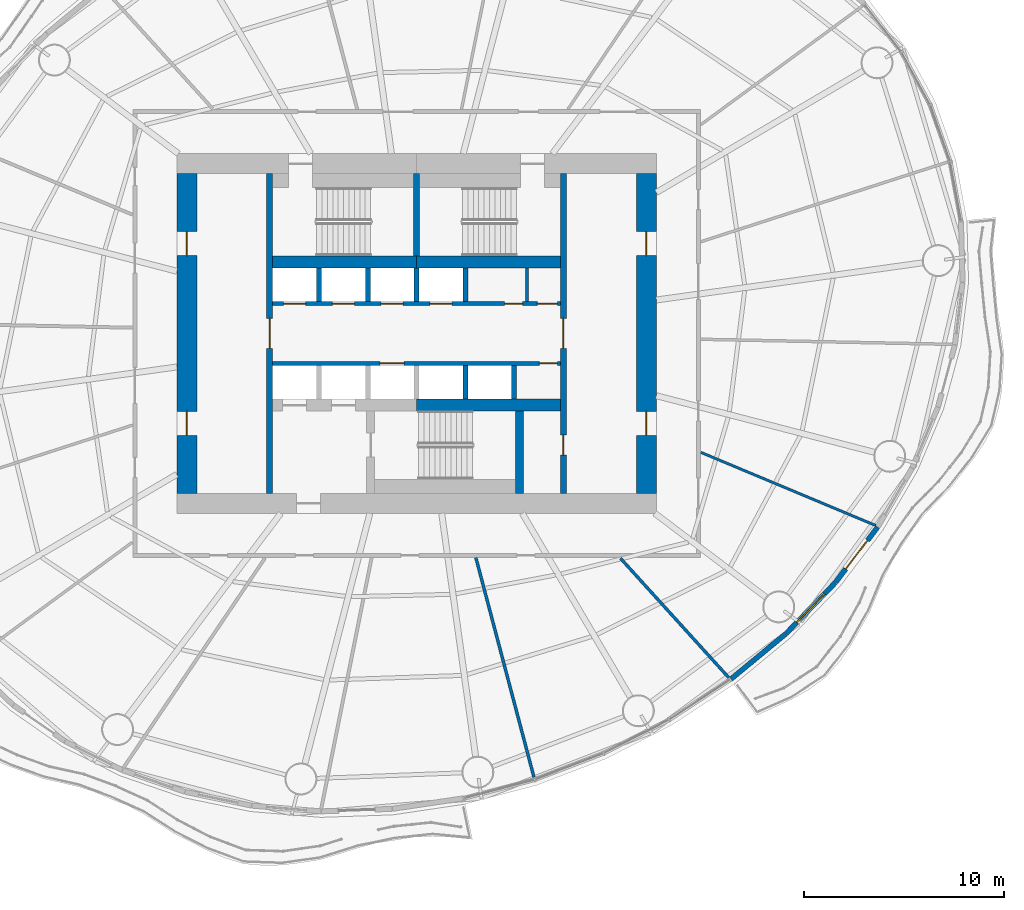
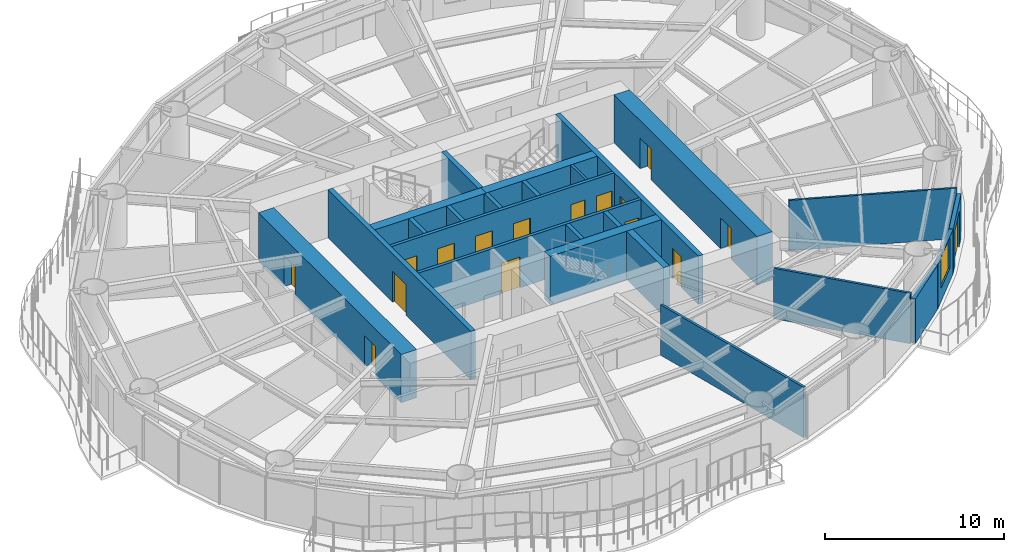
# One storey, part 8 of 15: 24 walls, 16 doors, 1 window, 17 openings.
"""IFC4 building model written with IfcOpenShell, lengths in metres."""

from ifc_helpers import new_model, si_unit, direction, frame, frame_2d, origin, place, context, subcontext, project, spatial, rectangle, extrude, material, layer, layer_set, type_object, element, fill, save


model = new_model("IFC4")

# Units and contexts
model_context = context("Model", 3, precision=1e-05, world=origin(), true_north=direction((0.0, 1.0)))
body_context = subcontext(model_context, "Body", "Model", "MODEL_VIEW")
ifc_project = project(units=[si_unit("LENGTHUNIT", "METRE"), si_unit("AREAUNIT", "SQUARE_METRE"), si_unit("VOLUMEUNIT", "CUBIC_METRE"), si_unit("PLANEANGLEUNIT", "RADIAN"), si_unit("MASSUNIT", "GRAM", prefix="KILO")], contexts=[model_context])

# Site, building, storey
site_placement = place(None, origin())
site = spatial("IfcSite", under=ifc_project, at=site_placement, CompositionType="ELEMENT")
building_placement = place(site_placement, origin())
building = spatial("IfcBuilding", under=site, at=building_placement, Name="Vermilion Reach Broadcast Tower", CompositionType="ELEMENT")
storey_placement = place(building_placement, frame((0.0, 0.0, 128.199951171875)))
storey = spatial("IfcBuildingStorey", under=building, at=storey_placement, Name="L30", CompositionType="ELEMENT", Elevation=128.199951171875)

# Wall, opening, door
ifc_material_1 = material(Name="Concrete C70", Category="concrete")
ifc_layer_1 = layer(ifc_material_1, 0.300048828125)
ifc_layer_set_1 = layer_set([ifc_layer_1], Name="Core inner wall 300 mm Concrete C70")
wall_type_1 = type_object("IfcWallType", Name="Core inner wall 300 mm Concrete C70", PredefinedType="SHEAR", material=ifc_layer_set_1)
wall_1_placement = place(storey_placement, frame((-13.35009765625, 8.0, 0.0), z_axis=(0.0, 0.0, 1.0), x_axis=(0.0, -1.0, 0.0)))
wall_1 = element("IfcWall", 1, at=wall_1_placement, inside=storey, type_object=wall_type_1, Name="L30 core wall ewW", PredefinedType="SHEAR", context=body_context, shape_type="SweptSolid", body=[
    extrude(rectangle(XDim=16.0, YDim=0.300048828125, at=frame_2d((8.0, 0.0))), origin(), (0.0, 0.0, 1.0), 3.300048828125),
])
opening_1_placement = place(wall_1_placement, frame((7.25, 0.0, 0.0)))
opening_1 = element("IfcOpeningElement", 2, at=opening_1_placement, cuts=wall_1, Name="Opening D04", PredefinedType="OPENING", context=body_context, shape_type="SweptSolid", body=[
    extrude(rectangle(XDim=1.5, YDim=2.10009765625, at=frame_2d((0.75, 1.050048828125))), frame((0.0, 0.159912109375, 0.0), z_axis=(0.0, -1.0, 0.0), x_axis=(1.0, 0.0, 0.0)), (0.0, 0.0, 1.0), 0.320068359375),
])
ifc_material_2 = material(Name="Painted steel fire door", Category="steel")
door_type_1 = type_object("IfcDoorType", Name="Lift lobby door 1500 x 2100", OperationType="DOUBLE_DOOR_SINGLE_SWING", PredefinedType="NOTDEFINED", material=ifc_material_2)
door_1_placement = place(opening_1_placement, origin())
door_1 = element("IfcDoor", 3, at=door_1_placement, inside=storey, type_object=door_type_1, Name="L30 band door BW", OperationType="DOUBLE_DOOR_SINGLE_SWING", OverallHeight=2.10009765625, OverallWidth=1.5, PredefinedType="NOTDEFINED", context=body_context, shape_type="SweptSolid", body=[
    extrude(rectangle(XDim=1.5, YDim=2.10009765625, at=frame_2d((0.75, 1.050048828125))), frame((0.0, 0.02490234375, 0.0), z_axis=(0.0, -1.0, 0.0), x_axis=(1.0, 0.0, 0.0)), (0.0, 0.0, 1.0), 0.050048828125),
])
fill(opening_1, door_1)

# Wall, openings, doors
wall_2_placement = place(storey_placement, frame((1.35009765625, -8.0, 0.0), z_axis=(0.0, 0.0, 1.0), x_axis=(0.0, 1.0, 0.0)))
wall_2 = element("IfcWall", 4, at=wall_2_placement, inside=storey, type_object=wall_type_1, Name="L30 core wall ewE", PredefinedType="SHEAR", context=body_context, shape_type="SweptSolid", body=[
    extrude(rectangle(XDim=16.0, YDim=0.300048828125, at=frame_2d((8.0, 0.0))), origin(), (0.0, 0.0, 1.0), 3.300048828125),
])
opening_2_placement = place(wall_2_placement, frame((1.909912109375, 0.0, 0.0)))
opening_2 = element("IfcOpeningElement", 5, at=opening_2_placement, cuts=wall_2, Name="Opening D05", PredefinedType="OPENING", context=body_context, shape_type="SweptSolid", body=[
    extrude(rectangle(XDim=1.0, YDim=2.10009765625, at=frame_2d((0.5, 1.050048828125))), frame((0.0, 0.159912109375, 0.0), z_axis=(0.0, -1.0, 0.0), x_axis=(1.0, 0.0, 0.0)), (0.0, 0.0, 1.0), 0.320068359375),
])
opening_3_placement = place(wall_2_placement, frame((7.25, 0.0, 0.0)))
opening_3 = element("IfcOpeningElement", 6, at=opening_3_placement, cuts=wall_2, Name="Opening D04", PredefinedType="OPENING", context=body_context, shape_type="SweptSolid", body=[
    extrude(rectangle(XDim=1.5, YDim=2.10009765625, at=frame_2d((0.75, 1.050048828125))), frame((0.0, 0.159912109375, 0.0), z_axis=(0.0, -1.0, 0.0), x_axis=(1.0, 0.0, 0.0)), (0.0, 0.0, 1.0), 0.320068359375),
])
door_2_placement = place(opening_3_placement, origin())
door_2 = element("IfcDoor", 7, at=door_2_placement, inside=storey, type_object=door_type_1, Name="L30 band door BE", OperationType="DOUBLE_DOOR_SINGLE_SWING", OverallHeight=2.10009765625, OverallWidth=1.5, PredefinedType="NOTDEFINED", context=body_context, shape_type="SweptSolid", body=[
    extrude(rectangle(XDim=1.5, YDim=2.10009765625, at=frame_2d((0.75, 1.050048828125))), frame((0.0, 0.02490234375, 0.0), z_axis=(0.0, -1.0, 0.0), x_axis=(1.0, 0.0, 0.0)), (0.0, 0.0, 1.0), 0.050048828125),
])
fill(opening_3, door_2)
ifc_material_3 = material(Name="Timber door", Category="wood")
door_type_2 = type_object("IfcDoorType", Name="Room door 1000 x 2100", OperationType="NOTDEFINED", PredefinedType="NOTDEFINED", material=ifc_material_3)
door_3_placement = place(opening_2_placement, origin())
door_3 = element("IfcDoor", 8, at=door_3_placement, inside=storey, type_object=door_type_2, Name="L30 door SER", OperationType="SINGLE_SWING_LEFT", OverallHeight=2.10009765625, OverallWidth=1.0, PredefinedType="NOTDEFINED", context=body_context, shape_type="SweptSolid", body=[
    extrude(rectangle(XDim=1.0, YDim=2.10009765625, at=frame_2d((0.5, 1.050048828125))), frame((0.0, 0.02490234375, 0.0), z_axis=(0.0, -1.0, 0.0), x_axis=(1.0, 0.0, 0.0)), (0.0, 0.0, 1.0), 0.050048828125),
])
fill(opening_2, door_3)

# Walls
wall_3_placement = place(storey_placement, frame((-6.0, 3.8798828125, 0.0), z_axis=(0.0, 0.0, 1.0), x_axis=(0.0, 1.0, 0.0)))
element("IfcWall", 9, at=wall_3_placement, inside=storey, type_object=wall_type_1, Name="L30 core wall wc", PredefinedType="SHEAR", context=body_context, shape_type="SweptSolid", body=[
    extrude(rectangle(XDim=4.1201171875, YDim=0.300048828125, at=frame_2d((2.06005859375, 0.0))), origin(), (0.0, 0.0, 1.0), 3.300048828125),
])
ifc_material_4 = material(Name="Concrete C70", Category="concrete")
ifc_layer_2 = layer(ifc_material_4, 0.39990234375)
ifc_layer_set_2 = layer_set([ifc_layer_2], Name="Core inner wall 400 mm Concrete C70")
wall_type_2 = type_object("IfcWallType", Name="Core inner wall 400 mm Concrete C70", PredefinedType="SHEAR", material=ifc_layer_set_2)
wall_4_placement = place(storey_placement, frame((-0.85009765625, -3.8798828125, 0.0), z_axis=(0.0, 0.0, 1.0), x_axis=(0.0, -1.0, 0.0)))
element("IfcWall", 10, at=wall_4_placement, inside=storey, type_object=wall_type_2, Name="L30 core wall wb", PredefinedType="SHEAR", context=body_context, shape_type="SweptSolid", body=[
    extrude(rectangle(XDim=4.1201171875, YDim=0.39990234375, at=frame_2d((2.06005859375, 0.0))), origin(), (0.0, 0.0, 1.0), 3.300048828125),
])
ifc_material_5 = material(Name="Concrete C70", Category="concrete")
ifc_layer_3 = layer(ifc_material_5, 0.60009765625)
ifc_layer_set_3 = layer_set([ifc_layer_3], Name="Core inner wall 600 mm Concrete C70")
wall_type_3 = type_object("IfcWallType", Name="Core inner wall 600 mm Concrete C70", PredefinedType="SHEAR", material=ifc_layer_set_3)
for number, where, z_axis, x_axis, name in (
    (11, (-13.199951171875, 3.580078125, 0.0), (0.0, 0.0, 1.0), (1.0, 0.0, 0.0), "L30 core wall winW"),
    (12, (-6.0, 3.580078125, 0.0), (0.0, 0.0, 1.0), (1.0, 0.0, 0.0), "L30 core wall winE"),
    (13, (-6.0, -3.580078125, 0.0), (0.0, 0.0, 1.0), (1.0, 0.0, 0.0), "L30 core wall wisE"),
):
    element("IfcWall", number, at=place(storey_placement, frame(where, z_axis=z_axis, x_axis=x_axis)), inside=storey, type_object=wall_type_3, Name=name, PredefinedType="SHEAR", context=body_context, shape_type="SweptSolid", body=[
        extrude(rectangle(XDim=7.199951171875, YDim=0.60009765625, at=frame_2d((3.60009765625, 0.0))), origin(), (0.0, 0.0, 1.0), 3.300048828125),
    ])

# Wall, openings, doors
ifc_material_6 = material(Name="Concrete C70", Category="concrete")
ifc_layer_4 = layer(ifc_material_6, 1.0)
ifc_layer_set_4 = layer_set([ifc_layer_4], Name="Core outer wall 1000 mm Concrete C70")
wall_type_4 = type_object("IfcWallType", Name="Core outer wall 1000 mm Concrete C70", PredefinedType="SHEAR", material=ifc_layer_set_4)
wall_5_placement = place(storey_placement, frame((-17.5, 8.0, 0.0), z_axis=(0.0, 0.0, 1.0), x_axis=(0.0, -1.0, 0.0)))
wall_5 = element("IfcWall", 14, at=wall_5_placement, inside=storey, type_object=wall_type_4, Name="L30 core wall ow", PredefinedType="SHEAR", context=body_context, shape_type="SweptSolid", body=[
    extrude(rectangle(XDim=16.0, YDim=1.0, at=frame_2d((8.0, 0.0))), origin(), (0.0, 0.0, 1.0), 3.300048828125),
])
opening_4_placement = place(wall_5_placement, frame((11.89990234375, 0.0, 0.0)))
opening_4 = element("IfcOpeningElement", 15, at=opening_4_placement, cuts=wall_5, Name="Opening D03", PredefinedType="OPENING", context=body_context, shape_type="SweptSolid", body=[
    extrude(rectangle(XDim=1.199951171875, YDim=2.10009765625, at=frame_2d((0.60009765625, 1.050048828125))), frame((0.0, 0.510009765625, 0.0), z_axis=(0.0, -1.0, 0.0), x_axis=(1.0, 0.0, 0.0)), (0.0, 0.0, 1.0), 1.02001953125),
])
opening_5_placement = place(wall_5_placement, frame((2.89990234375, 0.0, 0.0)))
opening_5 = element("IfcOpeningElement", 16, at=opening_5_placement, cuts=wall_5, Name="Opening D03", PredefinedType="OPENING", context=body_context, shape_type="SweptSolid", body=[
    extrude(rectangle(XDim=1.199951171875, YDim=2.10009765625, at=frame_2d((0.60009765625, 1.050048828125))), frame((0.0, 0.510009765625, 0.0), z_axis=(0.0, -1.0, 0.0), x_axis=(1.0, 0.0, 0.0)), (0.0, 0.0, 1.0), 1.02001953125),
])
ifc_material_7 = material(Name="Painted steel fire door", Category="steel")
door_type_3 = type_object("IfcDoorType", Name="Core lobby door 1200 x 2100", OperationType="DOUBLE_DOOR_SINGLE_SWING", PredefinedType="NOTDEFINED", material=ifc_material_7)
door_4_placement = place(opening_4_placement, origin())
door_4 = element("IfcDoor", 17, at=door_4_placement, inside=storey, type_object=door_type_3, Name="L30 slot door W0", OperationType="DOUBLE_DOOR_SINGLE_SWING", OverallHeight=2.10009765625, OverallWidth=1.199951171875, PredefinedType="NOTDEFINED", context=body_context, shape_type="SweptSolid", body=[
    extrude(rectangle(XDim=1.199951171875, YDim=2.10009765625, at=frame_2d((0.60009765625, 1.050048828125))), frame((0.0, 0.02490234375, 0.0), z_axis=(0.0, -1.0, 0.0), x_axis=(1.0, 0.0, 0.0)), (0.0, 0.0, 1.0), 0.050048828125),
])
fill(opening_4, door_4)
door_5_placement = place(opening_5_placement, origin())
door_5 = element("IfcDoor", 18, at=door_5_placement, inside=storey, type_object=door_type_3, Name="L30 slot door W1", OperationType="DOUBLE_DOOR_SINGLE_SWING", OverallHeight=2.10009765625, OverallWidth=1.199951171875, PredefinedType="NOTDEFINED", context=body_context, shape_type="SweptSolid", body=[
    extrude(rectangle(XDim=1.199951171875, YDim=2.10009765625, at=frame_2d((0.60009765625, 1.050048828125))), frame((0.0, 0.02490234375, 0.0), z_axis=(0.0, -1.0, 0.0), x_axis=(1.0, 0.0, 0.0)), (0.0, 0.0, 1.0), 0.050048828125),
])
fill(opening_5, door_5)

wall_6_placement = place(storey_placement, frame((5.5, -8.0, 0.0), z_axis=(0.0, 0.0, 1.0), x_axis=(0.0, 1.0, 0.0)))
wall_6 = element("IfcWall", 19, at=wall_6_placement, inside=storey, type_object=wall_type_4, Name="L30 core wall oe", PredefinedType="SHEAR", context=body_context, shape_type="SweptSolid", body=[
    extrude(rectangle(XDim=16.0, YDim=1.0, at=frame_2d((8.0, 0.0))), origin(), (0.0, 0.0, 1.0), 3.300048828125),
])
opening_6_placement = place(wall_6_placement, frame((2.89990234375, 0.0, 0.0)))
opening_6 = element("IfcOpeningElement", 20, at=opening_6_placement, cuts=wall_6, Name="Opening D03", PredefinedType="OPENING", context=body_context, shape_type="SweptSolid", body=[
    extrude(rectangle(XDim=1.199951171875, YDim=2.10009765625, at=frame_2d((0.60009765625, 1.050048828125))), frame((0.0, 0.510009765625, 0.0), z_axis=(0.0, -1.0, 0.0), x_axis=(1.0, 0.0, 0.0)), (0.0, 0.0, 1.0), 1.02001953125),
])
opening_7_placement = place(wall_6_placement, frame((11.89990234375, 0.0, 0.0)))
opening_7 = element("IfcOpeningElement", 21, at=opening_7_placement, cuts=wall_6, Name="Opening D03", PredefinedType="OPENING", context=body_context, shape_type="SweptSolid", body=[
    extrude(rectangle(XDim=1.199951171875, YDim=2.10009765625, at=frame_2d((0.60009765625, 1.050048828125))), frame((0.0, 0.510009765625, 0.0), z_axis=(0.0, -1.0, 0.0), x_axis=(1.0, 0.0, 0.0)), (0.0, 0.0, 1.0), 1.02001953125),
])
door_6_placement = place(opening_6_placement, origin())
door_6 = element("IfcDoor", 22, at=door_6_placement, inside=storey, type_object=door_type_3, Name="L30 slot door E0", OperationType="DOUBLE_DOOR_SINGLE_SWING", OverallHeight=2.10009765625, OverallWidth=1.199951171875, PredefinedType="NOTDEFINED", context=body_context, shape_type="SweptSolid", body=[
    extrude(rectangle(XDim=1.199951171875, YDim=2.10009765625, at=frame_2d((0.60009765625, 1.050048828125))), frame((0.0, 0.02490234375, 0.0), z_axis=(0.0, -1.0, 0.0), x_axis=(1.0, 0.0, 0.0)), (0.0, 0.0, 1.0), 0.050048828125),
])
fill(opening_6, door_6)
door_7_placement = place(opening_7_placement, origin())
door_7 = element("IfcDoor", 23, at=door_7_placement, inside=storey, type_object=door_type_3, Name="L30 slot door E1", OperationType="DOUBLE_DOOR_SINGLE_SWING", OverallHeight=2.10009765625, OverallWidth=1.199951171875, PredefinedType="NOTDEFINED", context=body_context, shape_type="SweptSolid", body=[
    extrude(rectangle(XDim=1.199951171875, YDim=2.10009765625, at=frame_2d((0.60009765625, 1.050048828125))), frame((0.0, 0.02490234375, 0.0), z_axis=(0.0, -1.0, 0.0), x_axis=(1.0, 0.0, 0.0)), (0.0, 0.0, 1.0), 0.050048828125),
])
fill(opening_7, door_7)

# Wall
ifc_material_8 = material(Name="Masonry block", Category="masonry")
ifc_layer_5 = layer(ifc_material_8, 0.14990234375)
ifc_layer_set_5 = layer_set([ifc_layer_5], Name="Core partition wall 150 mm Masonry block")
wall_type_5 = type_object("IfcWallType", Name="Core partition wall 150 mm Masonry block", PredefinedType="PARTITIONING", material=ifc_layer_set_5)
wall_7_placement = place(storey_placement, frame((-0.468017578125, 1.60009765625, 0.0), z_axis=(0.0, 0.0, 1.0), x_axis=(0.0, 1.0, 0.0)))
element("IfcWall", 24, at=wall_7_placement, inside=storey, type_object=wall_type_5, Name="L30 core wall prN5532", PredefinedType="PARTITIONING", context=body_context, shape_type="SweptSolid", body=[
    extrude(rectangle(XDim=1.679931640625, YDim=0.14990234375, at=frame_2d((0.83984375, 0.0))), origin(), (0.0, 0.0, 1.0), 3.300048828125),
])

# Wall, openings, doors
ifc_material_9 = material(Name="Concrete C50", Category="concrete")
ifc_layer_6 = layer(ifc_material_9, 0.199951171875)
ifc_layer_set_6 = layer_set([ifc_layer_6], Name="Core shaft wall 200 mm Concrete C50")
wall_type_6 = type_object("IfcWallType", Name="Core shaft wall 200 mm Concrete C50", PredefinedType="SHEAR", material=ifc_layer_set_6)
wall_8_placement = place(storey_placement, frame((-13.199951171875, 1.5, 0.0), z_axis=(0.0, 0.0, 1.0), x_axis=(1.0, 0.0, 0.0)))
wall_8 = element("IfcWall", 25, at=wall_8_placement, inside=storey, type_object=wall_type_6, Name="L30 core wall fn", PredefinedType="SHEAR", context=body_context, shape_type="SweptSolid", body=[
    extrude(rectangle(XDim=14.39990234375, YDim=0.199951171875, at=frame_2d((7.199951171875, 0.0))), origin(), (0.0, 0.0, 1.0), 3.300048828125),
])
opening_8_placement = place(wall_8_placement, frame((0.5458984375, 0.0, 0.0)))
opening_8 = element("IfcOpeningElement", 26, at=opening_8_placement, cuts=wall_8, Name="Opening LD2", PredefinedType="OPENING", context=body_context, shape_type="SweptSolid", body=[
    extrude(rectangle(XDim=1.10009765625, YDim=2.10009765625, at=frame_2d((0.550048828125, 1.050048828125))), frame((0.0, 0.10986328125, 0.0), z_axis=(0.0, -1.0, 0.0), x_axis=(1.0, 0.0, 0.0)), (0.0, 0.0, 1.0), 0.219970703125),
])
opening_9_placement = place(wall_8_placement, frame((2.987548828125, 0.0, 0.0)))
opening_9 = element("IfcOpeningElement", 27, at=opening_9_placement, cuts=wall_8, Name="Opening LD2", PredefinedType="OPENING", context=body_context, shape_type="SweptSolid", body=[
    extrude(rectangle(XDim=1.10009765625, YDim=2.10009765625, at=frame_2d((0.550048828125, 1.050048828125))), frame((0.0, 0.10986328125, 0.0), z_axis=(0.0, -1.0, 0.0), x_axis=(1.0, 0.0, 0.0)), (0.0, 0.0, 1.0), 0.219970703125),
])
opening_10_placement = place(wall_8_placement, frame((5.42919921875, 0.0, 0.0)))
opening_10 = element("IfcOpeningElement", 28, at=opening_10_placement, cuts=wall_8, Name="Opening LD2", PredefinedType="OPENING", context=body_context, shape_type="SweptSolid", body=[
    extrude(rectangle(XDim=1.10009765625, YDim=2.10009765625, at=frame_2d((0.550048828125, 1.050048828125))), frame((0.0, 0.10986328125, 0.0), z_axis=(0.0, -1.0, 0.0), x_axis=(1.0, 0.0, 0.0)), (0.0, 0.0, 1.0), 0.219970703125),
])
opening_11_placement = place(wall_8_placement, frame((7.870849609375, 0.0, 0.0)))
opening_11 = element("IfcOpeningElement", 29, at=opening_11_placement, cuts=wall_8, Name="Opening LD2", PredefinedType="OPENING", context=body_context, shape_type="SweptSolid", body=[
    extrude(rectangle(XDim=1.10009765625, YDim=2.10009765625, at=frame_2d((0.550048828125, 1.050048828125))), frame((0.0, 0.10986328125, 0.0), z_axis=(0.0, -1.0, 0.0), x_axis=(1.0, 0.0, 0.0)), (0.0, 0.0, 1.0), 0.219970703125),
])
opening_12_placement = place(wall_8_placement, frame((11.60693359375, 0.0, 0.0)))
opening_12 = element("IfcOpeningElement", 30, at=opening_12_placement, cuts=wall_8, Name="Opening D06", PredefinedType="OPENING", context=body_context, shape_type="SweptSolid", body=[
    extrude(rectangle(XDim=0.89990234375, YDim=2.10009765625, at=frame_2d((0.449951171875, 1.050048828125))), frame((0.0, 0.10986328125, 0.0), z_axis=(0.0, -1.0, 0.0), x_axis=(1.0, 0.0, 0.0)), (0.0, 0.0, 1.0), 0.219970703125),
])
opening_13_placement = place(wall_8_placement, frame((13.25, 0.0, 0.0)))
opening_13 = element("IfcOpeningElement", 31, at=opening_13_placement, cuts=wall_8, Name="Opening D07", PredefinedType="OPENING", context=body_context, shape_type="SweptSolid", body=[
    extrude(rectangle(XDim=1.0, YDim=2.10009765625, at=frame_2d((0.5, 1.050048828125))), frame((0.0, 0.10986328125, 0.0), z_axis=(0.0, -1.0, 0.0), x_axis=(1.0, 0.0, 0.0)), (0.0, 0.0, 1.0), 0.219970703125),
])
ifc_material_10 = material(Name="Timber door", Category="wood")
door_type_4 = type_object("IfcDoorType", Name="Accessible WC door 1000 x 2100", OperationType="NOTDEFINED", PredefinedType="NOTDEFINED", material=ifc_material_10)
door_8_placement = place(opening_13_placement, origin())
door_8 = element("IfcDoor", 32, at=door_8_placement, inside=storey, type_object=door_type_4, Name="L30 door Accessible WC", OperationType="SINGLE_SWING_RIGHT", OverallHeight=2.10009765625, OverallWidth=1.0, PredefinedType="NOTDEFINED", context=body_context, shape_type="SweptSolid", body=[
    extrude(rectangle(XDim=1.0, YDim=2.10009765625, at=frame_2d((0.5, 1.050048828125))), frame((0.0, 0.02490234375, 0.0), z_axis=(0.0, -1.0, 0.0), x_axis=(1.0, 0.0, 0.0)), (0.0, 0.0, 1.0), 0.050048828125),
])
fill(opening_13, door_8)
ifc_material_11 = material(Name="Stainless steel", Category="steel")
door_type_5 = type_object("IfcDoorType", Name="Landing door 1100 x 2100", OperationType="DOUBLE_DOOR_SLIDING", PredefinedType="NOTDEFINED", material=ifc_material_11)
door_9_placement = place(opening_8_placement, origin())
door_9 = element("IfcDoor", 33, at=door_9_placement, inside=storey, type_object=door_type_5, Name="L30 landing door LR1", OperationType="DOUBLE_DOOR_SLIDING", OverallHeight=2.10009765625, OverallWidth=1.10009765625, PredefinedType="NOTDEFINED", context=body_context, shape_type="SweptSolid", body=[
    extrude(rectangle(XDim=1.10009765625, YDim=2.10009765625, at=frame_2d((0.550048828125, 1.050048828125))), frame((0.0, 0.02490234375, 0.0), z_axis=(0.0, -1.0, 0.0), x_axis=(1.0, 0.0, 0.0)), (0.0, 0.0, 1.0), 0.050048828125),
])
fill(opening_8, door_9)
door_10_placement = place(opening_9_placement, origin())
door_10 = element("IfcDoor", 34, at=door_10_placement, inside=storey, type_object=door_type_5, Name="L30 landing door LR2", OperationType="DOUBLE_DOOR_SLIDING", OverallHeight=2.10009765625, OverallWidth=1.10009765625, PredefinedType="NOTDEFINED", context=body_context, shape_type="SweptSolid", body=[
    extrude(rectangle(XDim=1.10009765625, YDim=2.10009765625, at=frame_2d((0.550048828125, 1.050048828125))), frame((0.0, 0.02490234375, 0.0), z_axis=(0.0, -1.0, 0.0), x_axis=(1.0, 0.0, 0.0)), (0.0, 0.0, 1.0), 0.050048828125),
])
fill(opening_9, door_10)
door_11_placement = place(opening_10_placement, origin())
door_11 = element("IfcDoor", 35, at=door_11_placement, inside=storey, type_object=door_type_5, Name="L30 landing door LR3", OperationType="DOUBLE_DOOR_SLIDING", OverallHeight=2.10009765625, OverallWidth=1.10009765625, PredefinedType="NOTDEFINED", context=body_context, shape_type="SweptSolid", body=[
    extrude(rectangle(XDim=1.10009765625, YDim=2.10009765625, at=frame_2d((0.550048828125, 1.050048828125))), frame((0.0, 0.02490234375, 0.0), z_axis=(0.0, -1.0, 0.0), x_axis=(1.0, 0.0, 0.0)), (0.0, 0.0, 1.0), 0.050048828125),
])
fill(opening_10, door_11)
door_12_placement = place(opening_11_placement, origin())
door_12 = element("IfcDoor", 36, at=door_12_placement, inside=storey, type_object=door_type_5, Name="L30 landing door LR4", OperationType="DOUBLE_DOOR_SLIDING", OverallHeight=2.10009765625, OverallWidth=1.10009765625, PredefinedType="NOTDEFINED", context=body_context, shape_type="SweptSolid", body=[
    extrude(rectangle(XDim=1.10009765625, YDim=2.10009765625, at=frame_2d((0.550048828125, 1.050048828125))), frame((0.0, 0.02490234375, 0.0), z_axis=(0.0, -1.0, 0.0), x_axis=(1.0, 0.0, 0.0)), (0.0, 0.0, 1.0), 0.050048828125),
])
fill(opening_11, door_12)
ifc_material_12 = material(Name="Timber door", Category="wood")
door_type_6 = type_object("IfcDoorType", Name="WC door 900 x 2100", OperationType="NOTDEFINED", PredefinedType="NOTDEFINED", material=ifc_material_12)
door_13_placement = place(opening_12_placement, origin())
door_13 = element("IfcDoor", 37, at=door_13_placement, inside=storey, type_object=door_type_6, Name="L30 door Female WC", OperationType="SINGLE_SWING_RIGHT", OverallHeight=2.10009765625, OverallWidth=0.89990234375, PredefinedType="NOTDEFINED", context=body_context, shape_type="SweptSolid", body=[
    extrude(rectangle(XDim=0.89990234375, YDim=2.10009765625, at=frame_2d((0.449951171875, 1.050048828125))), frame((0.0, 0.02490234375, 0.0), z_axis=(0.0, -1.0, 0.0), x_axis=(1.0, 0.0, 0.0)), (0.0, 0.0, 1.0), 0.050048828125),
])
fill(opening_12, door_13)

wall_9_placement = place(storey_placement, frame((1.199951171875, -1.5, 0.0), z_axis=(0.0, 0.0, 1.0), x_axis=(-1.0, 0.0, 0.0)))
wall_9 = element("IfcWall", 38, at=wall_9_placement, inside=storey, type_object=wall_type_6, Name="L30 core wall fs", PredefinedType="SHEAR", context=body_context, shape_type="SweptSolid", body=[
    extrude(rectangle(XDim=14.39990234375, YDim=0.199951171875, at=frame_2d((7.199951171875, 0.0))), origin(), (0.0, 0.0, 1.0), 3.300048828125),
])
opening_14_placement = place(wall_9_placement, frame((7.82080078125, 0.0, 0.0)))
opening_14 = element("IfcOpeningElement", 39, at=opening_14_placement, cuts=wall_9, Name="Opening LD1", PredefinedType="OPENING", context=body_context, shape_type="SweptSolid", body=[
    extrude(rectangle(XDim=1.199951171875, YDim=2.10009765625, at=frame_2d((0.60009765625, 1.050048828125))), frame((0.0, 0.10986328125, 0.0), z_axis=(0.0, -1.0, 0.0), x_axis=(1.0, 0.0, 0.0)), (0.0, 0.0, 1.0), 0.219970703125),
])
opening_15_placement = place(wall_9_placement, frame((0.14990234375, 0.0, 0.0)))
opening_15 = element("IfcOpeningElement", 40, at=opening_15_placement, cuts=wall_9, Name="Opening D06", PredefinedType="OPENING", context=body_context, shape_type="SweptSolid", body=[
    extrude(rectangle(XDim=0.89990234375, YDim=2.10009765625, at=frame_2d((0.449951171875, 1.050048828125))), frame((0.0, 0.10986328125, 0.0), z_axis=(0.0, -1.0, 0.0), x_axis=(1.0, 0.0, 0.0)), (0.0, 0.0, 1.0), 0.219970703125),
])
ifc_material_13 = material(Name="Stainless steel", Category="steel")
door_type_7 = type_object("IfcDoorType", Name="Landing door 1200 x 2100", OperationType="DOUBLE_DOOR_SLIDING", PredefinedType="NOTDEFINED", material=ifc_material_13)
door_14_placement = place(opening_14_placement, origin())
door_14 = element("IfcDoor", 41, at=door_14_placement, inside=storey, type_object=door_type_7, Name="L30 landing door SV1", OperationType="DOUBLE_DOOR_SLIDING", OverallHeight=2.10009765625, OverallWidth=1.199951171875, PredefinedType="NOTDEFINED", context=body_context, shape_type="SweptSolid", body=[
    extrude(rectangle(XDim=1.199951171875, YDim=2.10009765625, at=frame_2d((0.60009765625, 1.050048828125))), frame((0.0, 0.02490234375, 0.0), z_axis=(0.0, -1.0, 0.0), x_axis=(1.0, 0.0, 0.0)), (0.0, 0.0, 1.0), 0.050048828125),
])
fill(opening_14, door_14)
door_15_placement = place(opening_15_placement, origin())
door_15 = element("IfcDoor", 42, at=door_15_placement, inside=storey, type_object=door_type_6, Name="L30 door Male WC", OperationType="SINGLE_SWING_LEFT", OverallHeight=2.10009765625, OverallWidth=0.89990234375, PredefinedType="NOTDEFINED", context=body_context, shape_type="SweptSolid", body=[
    extrude(rectangle(XDim=0.89990234375, YDim=2.10009765625, at=frame_2d((0.449951171875, 1.050048828125))), frame((0.0, 0.02490234375, 0.0), z_axis=(0.0, -1.0, 0.0), x_axis=(1.0, 0.0, 0.0)), (0.0, 0.0, 1.0), 0.050048828125),
])
fill(opening_15, door_15)

# Walls
ifc_material_14 = material(Name="Concrete C50", Category="concrete")
ifc_layer_7 = layer(ifc_material_14, 0.25)
ifc_layer_set_7 = layer_set([ifc_layer_7], Name="Core shaft wall 250 mm Concrete C50")
wall_type_7 = type_object("IfcWallType", Name="Core shaft wall 250 mm Concrete C50", PredefinedType="SHEAR", material=ifc_layer_set_7)
for number, where, z_axis, x_axis, name in (
    (43, (-10.88330078125, 1.60009765625, 0.0), (0.0, 0.0, 1.0), (0.0, 1.0, 0.0), "L30 core wall psN0"),
    (44, (-8.441650390625, 1.60009765625, 0.0), (0.0, 0.0, 1.0), (0.0, 1.0, 0.0), "L30 core wall psN1"),
    (45, (-6.0, 1.60009765625, 0.0), (0.0, 0.0, 1.0), (0.0, 1.0, 0.0), "L30 core wall psN2"),
    (46, (-3.558349609375, 1.60009765625, 0.0), (0.0, 0.0, 1.0), (0.0, 1.0, 0.0), "L30 core wall psN3"),
    (47, (-3.558349609375, -1.60009765625, 0.0), (0.0, 0.0, 1.0), (0.0, -1.0, 0.0), "L30 core wall psS3"),
    (48, (-1.11669921875, -1.60009765625, 0.0), (0.0, 0.0, 1.0), (0.0, -1.0, 0.0), "L30 core wall psS4"),
):
    element("IfcWall", number, at=place(storey_placement, frame(where, z_axis=z_axis, x_axis=x_axis)), inside=storey, type_object=wall_type_7, Name=name, PredefinedType="SHEAR", context=body_context, shape_type="SweptSolid", body=[
        extrude(rectangle(XDim=1.679931640625, YDim=0.25, at=frame_2d((0.83984375, 0.0))), origin(), (0.0, 0.0, 1.0), 3.300048828125),
    ])
ifc_material_15 = material(Name="Fire-rated plasterboard on steel stud", Category="steel")
ifc_layer_8 = layer(ifc_material_15, 0.125)
ifc_layer_set_8 = layer_set([ifc_layer_8], Name="Partition 125 fire-rated stud")
wall_type_8 = type_object("IfcWallType", Name="Partition 125 fire-rated stud", PredefinedType="PARTITIONING", material=ifc_layer_set_8)
wall_10_placement = place(storey_placement, frame((16.977294921875, -9.609375, 0.0), z_axis=(0.0, 0.0, 1.0), x_axis=(-0.92257138404, 0.385826439414, 0.0)))
element("IfcWall", 49, at=wall_10_placement, inside=storey, type_object=wall_type_8, Name="Partition 30.14", PredefinedType="PARTITIONING", context=body_context, shape_type="SweptSolid", body=[
    extrude(rectangle(XDim=9.48779296875, YDim=0.125, at=frame_2d((4.743896484375, 0.0))), origin(), (0.0, 0.0, 1.0), 3.449951171875),
])
ifc_material_16 = material(Name="Lightweight concrete block, plastered", Category="concrete")
ifc_layer_9 = layer(ifc_material_16, 0.14990234375)
ifc_layer_set_9 = layer_set([ifc_layer_9], Name="Partition 150 lightweight block")
wall_type_9 = type_object("IfcWallType", Name="Partition 150 lightweight block", PredefinedType="PARTITIONING", material=ifc_layer_set_9)
wall_11_placement = place(storey_placement, frame((-0.125244140625, -22.207275390625, 0.0), z_axis=(0.0, 0.0, 1.0), x_axis=(-0.255739645258, 0.966745692436, 0.0)))
element("IfcWall", 50, at=wall_11_placement, inside=storey, type_object=wall_type_9, Name="Partition 30.12", PredefinedType="PARTITIONING", context=body_context, shape_type="SweptSolid", body=[
    extrude(rectangle(XDim=11.365966796875, YDim=0.14990234375, at=frame_2d((5.68310546875, 0.0))), origin(), (0.0, 0.0, 1.0), 3.449951171875),
])
wall_12_placement = place(storey_placement, frame((9.6240234375, -17.223876953125, 0.0), z_axis=(0.0, 0.0, 1.0), x_axis=(-0.671881371933, 0.740658775719, 0.0)))
element("IfcWall", 51, at=wall_12_placement, inside=storey, type_object=wall_type_9, Name="Partition 30.13", PredefinedType="PARTITIONING", context=body_context, shape_type="SweptSolid", body=[
    extrude(rectangle(XDim=8.06494140625, YDim=0.14990234375, at=frame_2d((4.032470703125, 0.0))), origin(), (0.0, 0.0, 1.0), 3.449951171875),
])
ifc_material_17 = material(Name="Terracotta rainscreen cladding", Category="masonry")
ifc_layer_10 = layer(ifc_material_17, 0.25)
ifc_layer_set_10 = layer_set([ifc_layer_10], Name="Terracotta rainscreen wall 250")
wall_type_10 = type_object("IfcWallType", Name="Terracotta rainscreen wall 250", PredefinedType="SOLIDWALL", material=ifc_layer_set_10)
wall_13_placement = place(storey_placement, frame((9.740478515625, -17.28955078125, 0.0), z_axis=(0.0, 0.0, 1.0), x_axis=(0.771117086356, 0.636693363503, 0.0)))
element("IfcWall", 52, at=wall_13_placement, inside=storey, type_object=wall_type_10, Name="External wall L30 38", PredefinedType="SOLIDWALL", context=body_context, shape_type="SweptSolid", body=[
    extrude(rectangle(XDim=3.55615234375, YDim=0.25, at=frame_2d((1.778076171875, 0.0))), origin(), (0.0, 0.0, 1.0), 3.050048828125),
])

# Wall, opening, window
wall_14_placement = place(storey_placement, frame((12.4990234375, -15.010498046875, 0.0), z_axis=(0.0, 0.0, 1.0), x_axis=(0.69458713087, 0.719408588793, 0.0)))
wall_14 = element("IfcWall", 53, at=wall_14_placement, inside=storey, type_object=wall_type_10, Name="External wall L30 39", PredefinedType="SOLIDWALL", context=body_context, shape_type="SweptSolid", body=[
    extrude(rectangle(XDim=3.541015625, YDim=0.25, at=frame_2d((1.7705078125, 0.0))), origin(), (0.0, 0.0, 1.0), 3.050048828125),
])
opening_16_placement = place(wall_14_placement, frame((0.7705078125, 0.0, 0.89990234375)))
opening_16 = element("IfcOpeningElement", 54, at=opening_16_placement, cuts=wall_14, Name="Opening W03", PredefinedType="OPENING", context=body_context, shape_type="SweptSolid", body=[
    extrude(rectangle(XDim=2.0, YDim=2.10009765625, at=frame_2d((1.0, 1.050048828125))), frame((0.0, 0.135009765625, 0.0), z_axis=(0.0, -1.0, 0.0), x_axis=(1.0, 0.0, 0.0)), (0.0, 0.0, 1.0), 0.27001953125),
])
ifc_material_18 = material(Name="Low-e laminated clear glass in aluminium frame", Category="aluminium")
window_type = type_object("IfcWindowType", Name="Punched window 2000 x 2100 sill 900", PartitioningType="SINGLE_PANEL", PredefinedType="WINDOW", material=ifc_material_18)
window_placement = place(opening_16_placement, origin())
window = element("IfcWindow", 55, at=window_placement, inside=storey, type_object=window_type, Name="Window L30 39", OverallHeight=2.10009765625, OverallWidth=2.0, PartitioningType="SINGLE_PANEL", PredefinedType="WINDOW", context=body_context, shape_type="SweptSolid", body=[
    extrude(rectangle(XDim=2.0, YDim=2.10009765625, at=frame_2d((1.0, 1.050048828125))), frame((0.0, 0.030029296875, 0.0), z_axis=(0.0, -1.0, 0.0), x_axis=(1.0, 0.0, 0.0)), (0.0, 0.0, 1.0), 0.06005859375),
])
fill(opening_16, window)

# Wall, opening, door
wall_15_placement = place(storey_placement, frame((14.97314453125, -12.446044921875, 0.0), z_axis=(0.0, 0.0, 1.0), x_axis=(0.605977439261, 0.795481830784, 0.0)))
wall_15 = element("IfcWall", 56, at=wall_15_placement, inside=storey, type_object=wall_type_10, Name="External wall L30 40", PredefinedType="SOLIDWALL", context=body_context, shape_type="SweptSolid", body=[
    extrude(rectangle(XDim=3.466796875, YDim=0.25, at=frame_2d((1.7333984375, 0.0))), origin(), (0.0, 0.0, 1.0), 3.050048828125),
])
opening_17_placement = place(wall_15_placement, frame((0.8330078125, 0.0, 0.0)))
opening_17 = element("IfcOpeningElement", 57, at=opening_17_placement, cuts=wall_15, Name="Opening D70", PredefinedType="OPENING", context=body_context, shape_type="SweptSolid", body=[
    extrude(rectangle(XDim=1.800048828125, YDim=2.39990234375, at=frame_2d((0.89990234375, 1.199951171875))), frame((0.0, 0.135009765625, 0.0), z_axis=(0.0, -1.0, 0.0), x_axis=(1.0, 0.0, 0.0)), (0.0, 0.0, 1.0), 0.27001953125),
])
ifc_material_19 = material(Name="Low-e laminated clear glass in aluminium frame", Category="aluminium")
door_type_8 = type_object("IfcDoorType", Name="Balcony sliding door 1800 x 2400", OperationType="DOUBLE_DOOR_SLIDING", PredefinedType="DOOR", material=ifc_material_19)
door_16_placement = place(opening_17_placement, origin())
door_16 = element("IfcDoor", 58, at=door_16_placement, inside=storey, type_object=door_type_8, Name="Balcony door L30 run 10", OperationType="DOUBLE_DOOR_SLIDING", OverallHeight=2.39990234375, OverallWidth=1.800048828125, PredefinedType="DOOR", context=body_context, shape_type="SweptSolid", body=[
    extrude(rectangle(XDim=1.800048828125, YDim=2.39990234375, at=frame_2d((0.89990234375, 1.199951171875))), frame((0.0, 0.02490234375, 0.0), z_axis=(0.0, -1.0, 0.0), x_axis=(1.0, 0.0, 0.0)), (0.0, 0.0, 1.0), 0.050048828125),
])
fill(opening_17, door_16)

save(model, "model.ifc")
